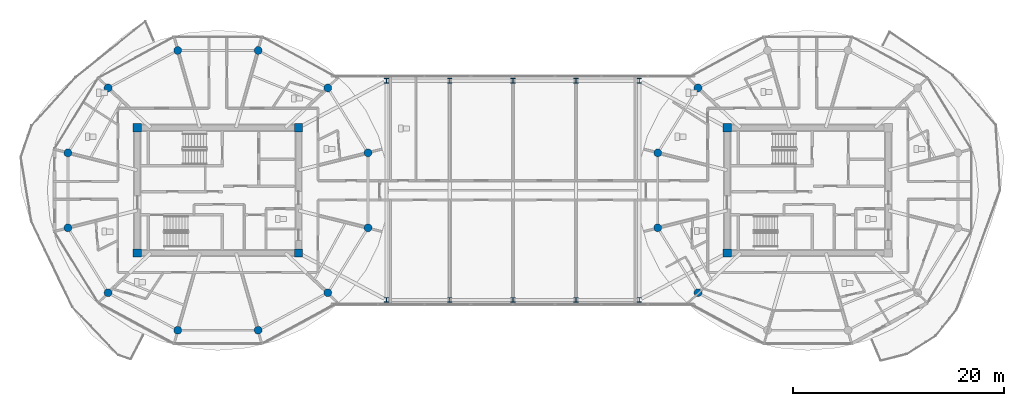
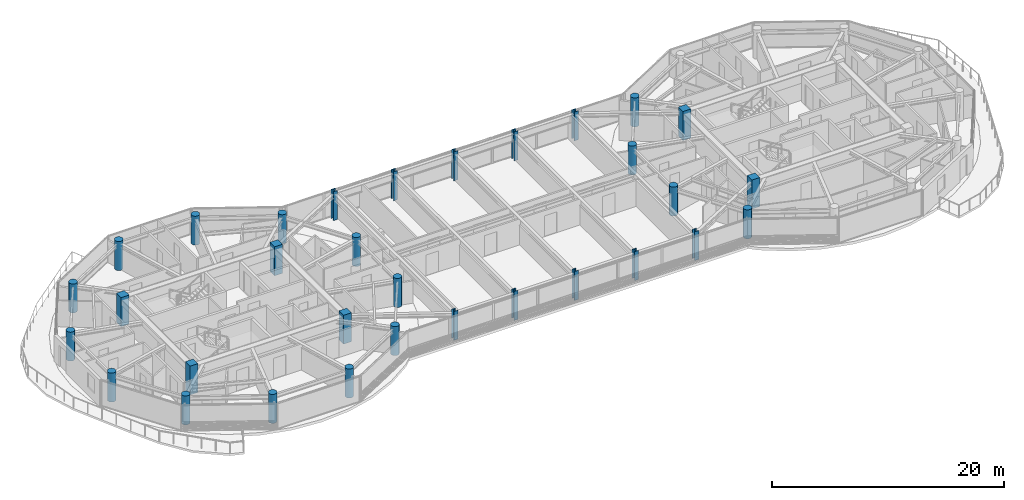
# One storey, part 1 of 26: 32 columns.
"""IFC4 building model written with IfcOpenShell, lengths in metres."""

import ifcopenshell
import ifcopenshell.guid

model = None  # the IFC model being written
_history = None  # IfcOwnerHistory: only IFC2X3 demands one
_inside = {}  # id of a spatial element -> (the spatial element, [elements in it])
_under = {}  # id of a project, library or spatial element -> (it, [spatial elements below it])
_declared = {}  # id of a project -> (the project, [libraries it declares])
_typed = {}  # id of a type object -> (the type object, [elements of that type])
_made_of = {}  # id of a material, layer set ... -> (it, [elements and type objects made of it])


def new_model(schema):
    """Start an empty IFC model of exactly this schema.

    Asked for "IFC4X3", IfcOpenShell would pick the latest addendum, in which some entities
    have other attributes; the version numbers below select the first issue.
    IFC2X3 requires an IfcOwnerHistory on every rooted entity: one is made here for all.
    """
    global model, _history
    if schema == "IFC4X3":
        model = ifcopenshell.file(schema_version=(4, 3, 0, 0))
    else:
        model = ifcopenshell.file(schema=schema)
    _inside.clear()
    _under.clear()
    _declared.clear()
    _typed.clear()
    _made_of.clear()
    _history = None
    if model.schema == "IFC2X3":
        org = make("IfcOrganization", Name="unknown")
        user = make(
            "IfcPersonAndOrganization",
            ThePerson=make("IfcPerson", FamilyName="unknown"),
            TheOrganization=org,
        )
        app = make(
            "IfcApplication",
            ApplicationDeveloper=org,
            Version="unknown",
            ApplicationFullName="unknown",
            ApplicationIdentifier="unknown",
        )
        _history = make(
            "IfcOwnerHistory",
            OwningUser=user,
            OwningApplication=app,
            ChangeAction="ADDED",
            CreationDate=0,
        )
    return model


def make(cls, **values):
    """One entity of the class cls with the attributes given. An attribute that is None is left unset."""
    return model.create_entity(
        cls, **{name: value for name, value in values.items() if value is not None}
    )


def rooted(cls, **values):
    """An entity with a GlobalId (a new one), such as an element, a storey or a relation."""
    return make(cls, GlobalId=ifcopenshell.guid.new(), OwnerHistory=_history, **values)


def si_unit(unit_type, name, prefix=None):
    """IfcSIUnit, for example si_unit("LENGTHUNIT", "METRE", prefix="MILLI")."""
    return make("IfcSIUnit", UnitType=unit_type, Prefix=prefix, Name=name)


def assignment(units):
    """IfcUnitAssignment: the units of a project."""
    return None if units is None else make("IfcUnitAssignment", Units=units)


def point(xyz):
    """IfcCartesianPoint."""
    return None if xyz is None else make("IfcCartesianPoint", Coordinates=xyz)


def direction(xyz):
    """IfcDirection."""
    return None if xyz is None else make("IfcDirection", DirectionRatios=xyz)


def frame(location, z_axis=None, x_axis=None):
    """IfcAxis2Placement3D, a coordinate frame: its origin and axes. An axis left out is left unset."""
    return make(
        "IfcAxis2Placement3D",
        Location=point(location),
        Axis=direction(z_axis),
        RefDirection=direction(x_axis),
    )


def frame_2d(location, x_axis=None):
    """IfcAxis2Placement2D, a coordinate frame in the plane: its origin and x axis."""
    return make(
        "IfcAxis2Placement2D", Location=point(location), RefDirection=direction(x_axis)
    )


def origin():
    """The frame at (0, 0, 0) with its axes left unset."""
    return frame((0.0, 0.0, 0.0))


def origin_2d():
    """The frame at (0, 0) in the plane with its x axis left unset."""
    return frame_2d((0.0, 0.0))


def place(relative_to, where):
    """IfcLocalPlacement: puts the frame where relative to a parent placement (None: the world)."""
    return make(
        "IfcLocalPlacement", PlacementRelTo=relative_to, RelativePlacement=where
    )


def context(
    kind, dimensions, precision=None, world=None, true_north=None, identifier=None
):
    """IfcGeometricRepresentationContext, for example the 3D "Model" context."""
    return make(
        "IfcGeometricRepresentationContext",
        ContextIdentifier=identifier,
        ContextType=kind,
        CoordinateSpaceDimension=dimensions,
        Precision=precision,
        WorldCoordinateSystem=world,
        TrueNorth=true_north,
    )


def subcontext(parent, identifier, kind, view, scale=None):
    """IfcGeometricRepresentationSubContext, for example "Body" below "Model"."""
    return make(
        "IfcGeometricRepresentationSubContext",
        ContextIdentifier=identifier,
        ContextType=kind,
        ParentContext=parent,
        TargetScale=scale,
        TargetView=view,
    )


def project(units=None, contexts=None):
    """IfcProject with its units and contexts."""
    return rooted(
        "IfcProject",
        Name="project",
        RepresentationContexts=contexts,
        UnitsInContext=assignment(units),
    )


def spatial(cls, under=None, at=None, **own):
    """A site, building, storey or space (cls), placed at a placement, below another one or the project."""
    s = rooted(cls, ObjectPlacement=at, **own)
    if under is not None:
        _under.setdefault(under.id(), (under, []))[1].append(s)
    return s


def profile(cls, at=None, kind="AREA", **sizes):
    """A parametric profile (cls). Its sizes go by their IFC names, for example OverallWidth=200.0."""
    return make(cls, ProfileType=kind, Position=at, **sizes)


def rectangle(**sizes):
    """IfcRectangleProfileDef."""
    return profile("IfcRectangleProfileDef", **sizes)


def circle(**sizes):
    """IfcCircleProfileDef."""
    return profile("IfcCircleProfileDef", **sizes)


def i_section(**sizes):
    """IfcIShapeProfileDef."""
    return profile("IfcIShapeProfileDef", **sizes)


def extrude(swept, where, along, depth):
    """IfcExtrudedAreaSolid: the profile swept, set in the frame where, extruded along a direction by depth."""
    return make(
        "IfcExtrudedAreaSolid",
        SweptArea=swept,
        Position=where,
        ExtrudedDirection=direction(along),
        Depth=depth,
    )


def shape(context_of_items, identifier, shape_type, items):
    """IfcShapeRepresentation: the items that make up one representation, for example the "Body"."""
    return make(
        "IfcShapeRepresentation",
        ContextOfItems=context_of_items,
        RepresentationIdentifier=identifier,
        RepresentationType=shape_type,
        Items=items,
    )


def source(mapping_origin, context_of_items, identifier, shape_type, items):
    """IfcRepresentationMap: a shape defined once, which mapped items show again and again."""
    return make(
        "IfcRepresentationMap",
        MappingOrigin=mapping_origin,
        MappedRepresentation=shape(context_of_items, identifier, shape_type, items),
    )


def transform(
    local_origin,
    x_axis=None,
    y_axis=None,
    z_axis=None,
    scale=None,
    scale2=None,
    scale3=None,
    uniform=True,
):
    """IfcCartesianTransformationOperator3D, or its non-uniform kind. x_axis, y_axis, z_axis: its Axis1, 2, 3."""
    if uniform:
        return make(
            "IfcCartesianTransformationOperator3D",
            Axis1=direction(x_axis),
            Axis2=direction(y_axis),
            LocalOrigin=point(local_origin),
            Scale=scale,
            Axis3=direction(z_axis),
        )
    return make(
        "IfcCartesianTransformationOperator3DnonUniform",
        Axis1=direction(x_axis),
        Axis2=direction(y_axis),
        LocalOrigin=point(local_origin),
        Scale=scale,
        Axis3=direction(z_axis),
        Scale2=scale2,
        Scale3=scale3,
    )


def mapped(mapping_source, mapping_target):
    """IfcMappedItem: shows the shape of a source again, moved by a transform."""
    return make(
        "IfcMappedItem", MappingSource=mapping_source, MappingTarget=mapping_target
    )


def material(Name=None, Category=None):
    """IfcMaterial."""
    return make("IfcMaterial", Name=Name, Category=Category)


def material_profile(
    of_material, cross_section, Name=None, Category=None, Priority=None
):
    """IfcMaterialProfile: a cross section and its material."""
    return make(
        "IfcMaterialProfile",
        Name=Name,
        Material=of_material,
        Profile=cross_section,
        Priority=Priority,
        Category=Category,
    )


def profile_set(profiles, Name=None, composite=None):
    """IfcMaterialProfileSet."""
    return make(
        "IfcMaterialProfileSet",
        Name=Name,
        MaterialProfiles=profiles,
        CompositeProfile=composite,
    )


def made_of(thing, what):
    """Note that an element or type object is made of a material, layer set ...; save() writes the relation."""
    if what is not None:
        _made_of.setdefault(what.id(), (what, []))[1].append(thing)
    return thing


def type_object(cls, material=None, **own):
    """A type object (cls), such as IfcWallType, which elements share."""
    return made_of(rooted(cls, **own), material)


def type_shapes(of_type, sources):
    """Give a type object the sources (RepresentationMaps) that its elements show as mapped items."""
    of_type.RepresentationMaps = sources


def element(
    cls,
    number,
    at=None,
    inside=None,
    cuts=None,
    type_object=None,
    material=None,
    context=None,
    identifier="Body",
    shape_type=None,
    held_by="IfcProductDefinitionShape",
    body=None,
    shapes=None,
    **own,
):
    """One element of the class cls, such as IfcWall. Its Tag is "e" and its number.

    at: its placement. inside: the storey or other place that contains it. cuts: it is an
    opening in that element (IfcRelVoidsElement). A single representation is given by context,
    identifier, shape_type and body (its items); several are given by shapes. held_by: the class
    of the entity that holds the representations. save() writes the other relations.
    """
    e = rooted(cls, Tag="e%d" % number, ObjectPlacement=at, **own)
    if body is not None:
        shapes = [shape(context, identifier, shape_type, body)]
    if shapes is not None:
        e.Representation = make(held_by, Representations=shapes)
    if inside is not None:
        _inside.setdefault(inside.id(), (inside, []))[1].append(e)
    if cuts is not None:
        rooted(
            "IfcRelVoidsElement", RelatingBuildingElement=cuts, RelatedOpeningElement=e
        )
    if type_object is not None:
        _typed.setdefault(type_object.id(), (type_object, []))[1].append(e)
    return made_of(e, material)


def aggregate(whole, parts):
    """IfcRelAggregates: a whole, such as a stair, and the parts it consists of."""
    return rooted("IfcRelAggregates", RelatingObject=whole, RelatedObjects=parts)


def save(model, path):
    """Write the relations noted so far, then the file.

    IfcRelAggregates (storeys below a building ...), IfcRelContainedInSpatialStructure (elements
    in a storey), IfcRelDefinesByType, IfcRelAssociatesMaterial and IfcRelDeclares: one each for
    every whole, place, type object, material and project.
    """
    for whole, parts in _under.values():
        aggregate(whole, parts)
    for where, things in _inside.values():
        rooted(
            "IfcRelContainedInSpatialStructure",
            RelatedElements=things,
            RelatingStructure=where,
        )
    for kind, things in _typed.values():
        rooted("IfcRelDefinesByType", RelatedObjects=things, RelatingType=kind)
    for what, things in _made_of.values():
        rooted("IfcRelAssociatesMaterial", RelatedObjects=things, RelatingMaterial=what)
    for by, libraries in _declared.values():
        rooted("IfcRelDeclares", RelatingContext=by, RelatedDefinitions=libraries)
    model.write(path)


model = new_model("IFC4")

# Units and contexts
model_context = context("Model", 3, precision=1e-05, world=origin(), true_north=direction((0.0, 1.0)))
body_context = subcontext(model_context, "Body", "Model", "MODEL_VIEW")
ifc_project = project(units=[si_unit("LENGTHUNIT", "METRE"), si_unit("AREAUNIT", "SQUARE_METRE"), si_unit("VOLUMEUNIT", "CUBIC_METRE"), si_unit("PLANEANGLEUNIT", "RADIAN"), si_unit("MASSUNIT", "GRAM", prefix="KILO")], contexts=[model_context])

# Site, building, storey
site_placement = place(None, origin())
site = spatial("IfcSite", under=ifc_project, at=site_placement, CompositionType="ELEMENT")
building_placement = place(site_placement, origin())
building = spatial("IfcBuilding", under=site, at=building_placement, Name="Norrkilde Senior Care Towers", CompositionType="ELEMENT")
storey_placement = place(building_placement, frame((0.0, 0.0, 210.85009765625)))
storey = spatial("IfcBuildingStorey", under=building, at=storey_placement, Name="L65", CompositionType="ELEMENT", Elevation=210.85009765625)

# Columns
ifc_material_1 = material(Name="Concrete C60/75", Category="concrete")
ifc_material_profile_1 = material_profile(ifc_material_1, rectangle(XDim=0.800048828125, YDim=0.800048828125, at=origin_2d()), Name="RC COL 800x800")
ifc_profile_set_1 = profile_set([ifc_material_profile_1], Name="Concrete C60/75")
column_type_1 = type_object("IfcColumnType", Name="Column Core Corner Z3-Z4 800", PredefinedType="COLUMN", material=ifc_profile_set_1)
shared_shape_1 = source(origin(), body_context, "Body", "SweptSolid", [
    extrude(rectangle(XDim=0.800048828125, YDim=0.800048828125, at=origin_2d()), origin(), (0.0, 0.0, 1.0), 3.0498046875),
])
type_shapes(column_type_1, [shared_shape_1])
for number, where, z_axis, x_axis, name in (
    (1, (-35.64990234375, -5.949951171875, 0.0), (0.0, 0.0, 1.0), (1.0, 0.0, 0.0), "L65 Core W Corner Column 1"),
    (2, (-20.35009765625, -5.949951171875, 0.0), (0.0, 0.0, 1.0), (1.0, 0.0, 0.0), "L65 Core W Corner Column 2"),
    (3, (-20.35009765625, 5.949951171875, 0.0), (0.0, 0.0, 1.0), (1.0, 0.0, 0.0), "L65 Core W Corner Column 3"),
    (4, (-35.64990234375, 5.949951171875, 0.0), (0.0, 0.0, 1.0), (1.0, 0.0, 0.0), "L65 Core W Corner Column 4"),
    (5, (20.35009765625, -5.949951171875, 0.0), (0.0, 0.0, 1.0), (1.0, 0.0, 0.0), "L65 Core E Corner Column 1"),
    (6, (20.35009765625, 5.949951171875, 0.0), (0.0, 0.0, 1.0), (1.0, 0.0, 0.0), "L65 Core E Corner Column 4"),
):
    element("IfcColumn", number, at=place(storey_placement, frame(where, z_axis=z_axis, x_axis=x_axis)), inside=storey, type_object=column_type_1, Name=name, PredefinedType="COLUMN", context=body_context, shape_type="MappedRepresentation", body=[
        mapped(shared_shape_1, transform((0.0, 0.0, 0.0), x_axis=(1.0, 0.0, 0.0), y_axis=(0.0, 1.0, 0.0), z_axis=(0.0, 0.0, 1.0), scale=1.0)),
    ])
ifc_material_2 = material(Name="Concrete C50/60", Category="concrete")
ifc_material_profile_2 = material_profile(ifc_material_2, circle(Radius=0.375, at=origin_2d()), Name="RC CIR 750")
ifc_profile_set_2 = profile_set([ifc_material_profile_2], Name="Concrete C50/60")
column_type_2 = type_object("IfcColumnType", Name="Column Perimeter Z4 750", PredefinedType="COLUMN", material=ifc_profile_set_2)
shared_shape_2 = source(origin(), body_context, "Body", "SweptSolid", [
    extrude(circle(Radius=0.375, at=origin_2d()), origin(), (0.0, 0.0, 1.0), 3.0498046875),
])
type_shapes(column_type_2, [shared_shape_2])
for number, where, z_axis, x_axis, name in (
    (7, (-13.752685546875, 3.558837890625, 0.0), (0.0, 0.0, 1.0), (1.0, 0.0, 0.0), "L65 Drum W Perimeter Column 01"),
    (8, (-17.570068359375, 9.72265625, 0.0), (0.0, 0.0, 1.0), (1.0, 0.0, 0.0), "L65 Drum W Perimeter Column 02"),
    (9, (-24.182373046875, 13.281494140625, 0.0), (0.0, 0.0, 1.0), (1.0, 0.0, 0.0), "L65 Drum W Perimeter Column 03"),
    (10, (-31.817626953125, 13.281494140625, 0.0), (0.0, 0.0, 1.0), (1.0, 0.0, 0.0), "L65 Drum W Perimeter Column 04"),
    (11, (-38.429931640625, 9.72265625, 0.0), (0.0, 0.0, 1.0), (1.0, 0.0, 0.0), "L65 Drum W Perimeter Column 05"),
    (12, (-42.247314453125, 3.558837890625, 0.0), (0.0, 0.0, 1.0), (1.0, 0.0, 0.0), "L65 Drum W Perimeter Column 06"),
    (13, (-42.247314453125, -3.558837890625, 0.0), (0.0, 0.0, 1.0), (1.0, 0.0, 0.0), "L65 Drum W Perimeter Column 07"),
    (14, (-38.429931640625, -9.72265625, 0.0), (0.0, 0.0, 1.0), (1.0, 0.0, 0.0), "L65 Drum W Perimeter Column 08"),
    (15, (-31.817626953125, -13.281494140625, 0.0), (0.0, 0.0, 1.0), (1.0, 0.0, 0.0), "L65 Drum W Perimeter Column 09"),
    (16, (-24.182373046875, -13.281494140625, 0.0), (0.0, 0.0, 1.0), (1.0, 0.0, 0.0), "L65 Drum W Perimeter Column 10"),
    (17, (-17.570068359375, -9.72265625, 0.0), (0.0, 0.0, 1.0), (1.0, 0.0, 0.0), "L65 Drum W Perimeter Column 11"),
    (18, (-13.752685546875, -3.558837890625, 0.0), (0.0, 0.0, 1.0), (1.0, 0.0, 0.0), "L65 Drum W Perimeter Column 12"),
    (19, (17.570068359375, 9.72265625, 0.0), (0.0, 0.0, 1.0), (1.0, 0.0, 0.0), "L65 Drum E Perimeter Column 05"),
    (20, (13.752685546875, 3.558837890625, 0.0), (0.0, 0.0, 1.0), (1.0, 0.0, 0.0), "L65 Drum E Perimeter Column 06"),
    (21, (13.752685546875, -3.558837890625, 0.0), (0.0, 0.0, 1.0), (1.0, 0.0, 0.0), "L65 Drum E Perimeter Column 07"),
    (22, (17.570068359375, -9.72265625, 0.0), (0.0, 0.0, 1.0), (1.0, 0.0, 0.0), "L65 Drum E Perimeter Column 08"),
):
    element("IfcColumn", number, at=place(storey_placement, frame(where, z_axis=z_axis, x_axis=x_axis)), inside=storey, type_object=column_type_2, Name=name, PredefinedType="COLUMN", context=body_context, shape_type="MappedRepresentation", body=[
        mapped(shared_shape_2, transform((0.0, 0.0, 0.0), x_axis=(1.0, 0.0, 0.0), y_axis=(0.0, 1.0, 0.0), z_axis=(0.0, 0.0, 1.0), scale=1.0)),
    ])
ifc_material_3 = material(Name="Steel S355", Category="steel")
ifc_material_profile_3 = material_profile(ifc_material_3, i_section(OverallWidth=0.406982421875, OverallDepth=0.43505859375, WebThickness=0.02392578125, FlangeThickness=0.0390625, FilletRadius=0.014892578125, at=origin_2d()), Name="HD 400x421")
ifc_profile_set_3 = profile_set([ifc_material_profile_3], Name="Steel S355")
column_type_3 = type_object("IfcColumnType", Name="Column Bridge Frame HD400", PredefinedType="COLUMN", material=ifc_profile_set_3)
shared_shape_3 = source(origin(), body_context, "Body", "SweptSolid", [
    extrude(i_section(OverallWidth=0.406982421875, OverallDepth=0.43505859375, WebThickness=0.02392578125, FlangeThickness=0.0390625, FilletRadius=0.014892578125, at=origin_2d()), origin(), (0.0, 0.0, 1.0), 3.0498046875),
])
type_shapes(column_type_3, [shared_shape_3])
for number, where, z_axis, x_axis, name in (
    (23, (-12.0, -10.39990234375, 0.0), (0.0, 0.0, 1.0), (1.0, 0.0, 0.0), "L65 Sky-Gate Bridge Column -12.1"),
    (24, (-12.0, 10.39990234375, 0.0), (0.0, 0.0, 1.0), (1.0, 0.0, 0.0), "L65 Sky-Gate Bridge Column -12.2"),
    (25, (-6.0, -10.39990234375, 0.0), (0.0, 0.0, 1.0), (1.0, 0.0, 0.0), "L65 Sky-Gate Bridge Column -6.1"),
    (26, (-6.0, 10.39990234375, 0.0), (0.0, 0.0, 1.0), (1.0, 0.0, 0.0), "L65 Sky-Gate Bridge Column -6.2"),
    (27, (0.0, -10.39990234375, 0.0), (0.0, 0.0, 1.0), (1.0, 0.0, 0.0), "L65 Sky-Gate Bridge Column +0.1"),
    (28, (0.0, 10.39990234375, 0.0), (0.0, 0.0, 1.0), (1.0, 0.0, 0.0), "L65 Sky-Gate Bridge Column +0.2"),
    (29, (6.0, -10.39990234375, 0.0), (0.0, 0.0, 1.0), (1.0, 0.0, 0.0), "L65 Sky-Gate Bridge Column +6.1"),
    (30, (6.0, 10.39990234375, 0.0), (0.0, 0.0, 1.0), (1.0, 0.0, 0.0), "L65 Sky-Gate Bridge Column +6.2"),
    (31, (12.0, -10.39990234375, 0.0), (0.0, 0.0, 1.0), (1.0, 0.0, 0.0), "L65 Sky-Gate Bridge Column +12.1"),
    (32, (12.0, 10.39990234375, 0.0), (0.0, 0.0, 1.0), (1.0, 0.0, 0.0), "L65 Sky-Gate Bridge Column +12.2"),
):
    element("IfcColumn", number, at=place(storey_placement, frame(where, z_axis=z_axis, x_axis=x_axis)), inside=storey, type_object=column_type_3, Name=name, PredefinedType="COLUMN", context=body_context, shape_type="MappedRepresentation", body=[
        mapped(shared_shape_3, transform((0.0, 0.0, 0.0), x_axis=(1.0, 0.0, 0.0), y_axis=(0.0, 1.0, 0.0), z_axis=(0.0, 0.0, 1.0), scale=1.0)),
    ])

save(model, "model.ifc")
